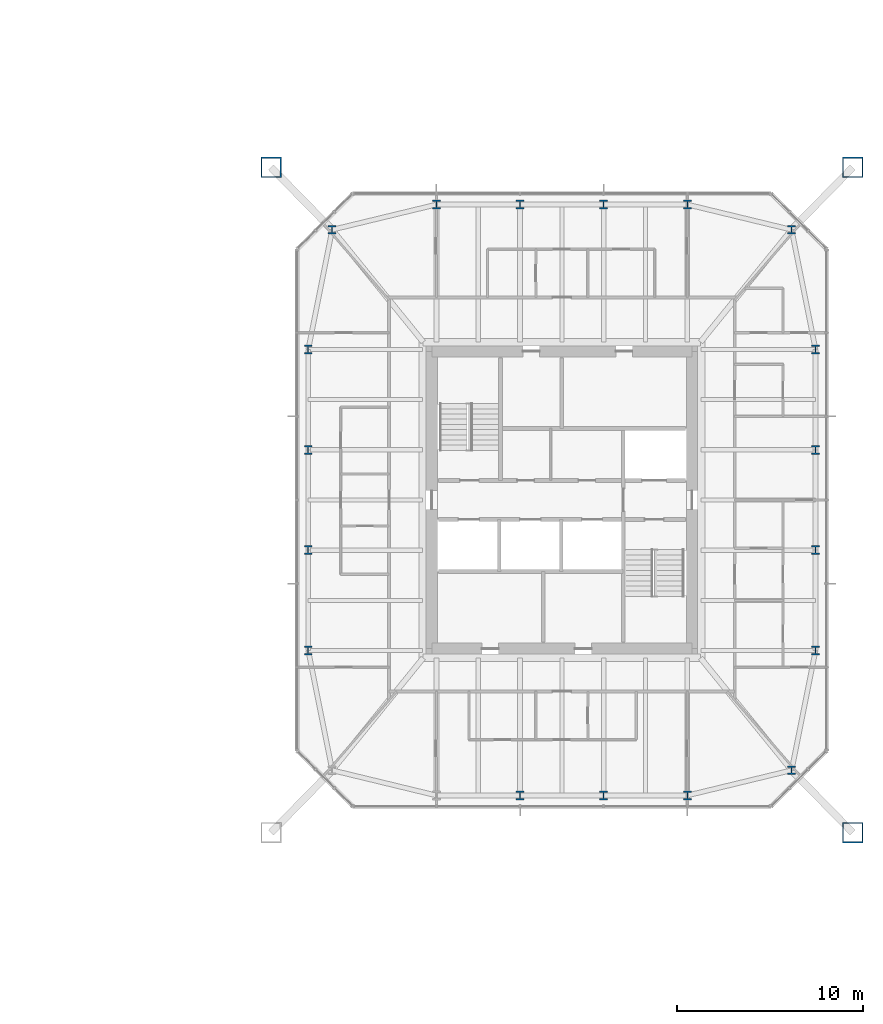
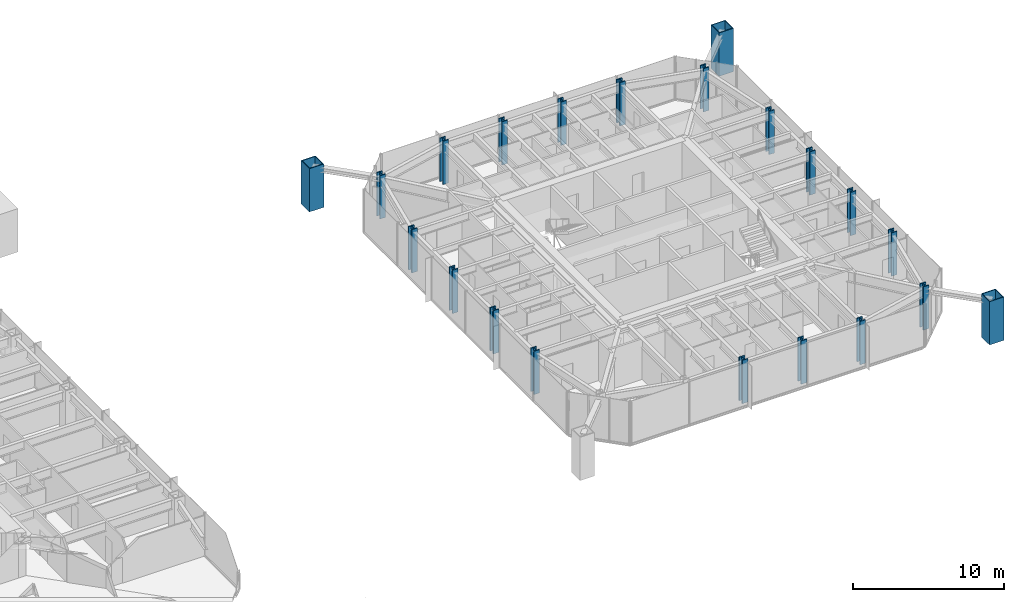
# One storey, part 2 of 25: 21 columns.
"""IFC4 building model written with IfcOpenShell, lengths in metres."""

from ifc_helpers import new_model, si_unit, direction, frame, origin, origin_2d, place, context, subcontext, project, spatial, hollow_rectangle, i_section, extrude, material, material_profile, profile_set, type_object, element, save


model = new_model("IFC4")

# Units and contexts
model_context = context("Model", 3, precision=1e-05, world=origin(), true_north=direction((0.0, 1.0)))
body_context = subcontext(model_context, "Body", "Model", "MODEL_VIEW")
ifc_project = project(units=[si_unit("LENGTHUNIT", "METRE"), si_unit("AREAUNIT", "SQUARE_METRE"), si_unit("VOLUMEUNIT", "CUBIC_METRE"), si_unit("PLANEANGLEUNIT", "RADIAN"), si_unit("MASSUNIT", "GRAM", prefix="KILO")], contexts=[model_context])

# Site, building, storey
site_placement = place(None, origin())
site = spatial("IfcSite", under=ifc_project, at=site_placement, CompositionType="ELEMENT")
building_placement = place(site_placement, origin())
building = spatial("IfcBuilding", under=site, at=building_placement, Name="Iwan Alto Co-Living Towers", CompositionType="ELEMENT")
storey_placement = place(building_placement, frame((0.0, 0.0, 105.0)))
storey = spatial("IfcBuildingStorey", under=building, at=storey_placement, Name="L28", CompositionType="ELEMENT", Elevation=105.0)

# Columns
ifc_material_1 = material(Name="Steel ASTM A572 Gr 50", Category="steel")
ifc_material_profile_1 = material_profile(ifc_material_1, hollow_rectangle(XDim=1.10009765625, YDim=1.10009765625, WallThickness=0.06005859375, at=origin_2d()), Name="BOX 1100X1100X60")
ifc_profile_set_1 = profile_set([ifc_material_profile_1], Name="Steel ASTM A572 Gr 50")
column_type_1 = type_object("IfcColumnType", Name="T2 MEGA COLUMN BOX 1100X1100X60", PredefinedType="COLUMN", material=ifc_profile_set_1)
for number, where, z_axis, x_axis, name in (
    (1, (78.64990234375, -17.89990234375, 0.0), (0.0, 0.0, 1.0), (1.0, 0.0, 0.0), "T2 mega column SE L28"),
    (2, (78.64990234375, 17.89990234375, 0.0), (0.0, 0.0, 1.0), (1.0, 0.0, 0.0), "T2 mega column NE L28"),
    (3, (47.35009765625, 17.89990234375, 0.0), (0.0, 0.0, 1.0), (1.0, 0.0, 0.0), "T2 mega column NW L28"),
):
    element("IfcColumn", number, at=place(storey_placement, frame(where, z_axis=z_axis, x_axis=x_axis)), inside=storey, type_object=column_type_1, Name=name, PredefinedType="COLUMN", context=body_context, shape_type="SweptSolid", body=[
        extrude(hollow_rectangle(XDim=1.10009765625, YDim=1.10009765625, WallThickness=0.06005859375, at=origin_2d()), origin(), (0.0, 0.0, 1.0), 3.5),
    ])
ifc_material_2 = material(Name="Steel ASTM A992 Gr 50", Category="steel")
ifc_material_profile_2 = material_profile(ifc_material_2, i_section(OverallWidth=0.4267578125, OverallDepth=0.482666015625, WebThickness=0.05126953125, FlangeThickness=0.08154296875, at=origin_2d()), Name="W14X455")
ifc_profile_set_2 = profile_set([ifc_material_profile_2], Name="Steel ASTM A992 Gr 50")
column_type_2 = type_object("IfcColumnType", Name="T2 RING COLUMN W14X455", PredefinedType="COLUMN", material=ifc_profile_set_2)
for number, where, z_axis, x_axis, name in (
    (4, (60.75, -15.89990234375, 0.0), (0.0, 0.0, 1.0), (1.0, 0.0, 0.0), "T2 ring column S2 L28"),
    (5, (65.25, -15.89990234375, 0.0), (0.0, 0.0, 1.0), (1.0, 0.0, 0.0), "T2 ring column S3 L28"),
    (6, (69.75, -15.89990234375, 0.0), (0.0, 0.0, 1.0), (1.0, 0.0, 0.0), "T2 ring column S4 L28"),
    (7, (75.361328125, -14.542724609375, 0.0), (0.0, 0.0, 1.0), (1.0, 0.0, 0.0), "T2 ring column CSE L28"),
    (8, (76.64990234375, -8.10009765625, 0.0), (0.0, 0.0, 1.0), (1.0, 0.0, 0.0), "T2 ring column E1 L28"),
    (9, (76.64990234375, -2.699951171875, 0.0), (0.0, 0.0, 1.0), (1.0, 0.0, 0.0), "T2 ring column E2 L28"),
    (10, (76.64990234375, 2.699951171875, 0.0), (0.0, 0.0, 1.0), (1.0, 0.0, 0.0), "T2 ring column E3 L28"),
    (11, (76.64990234375, 8.10009765625, 0.0), (0.0, 0.0, 1.0), (1.0, 0.0, 0.0), "T2 ring column E4 L28"),
    (12, (75.361328125, 14.542724609375, 0.0), (0.0, 0.0, 1.0), (1.0, 0.0, 0.0), "T2 ring column CNE L28"),
    (13, (69.75, 15.89990234375, 0.0), (0.0, 0.0, 1.0), (1.0, 0.0, 0.0), "T2 ring column N1 L28"),
    (14, (65.25, 15.89990234375, 0.0), (0.0, 0.0, 1.0), (1.0, 0.0, 0.0), "T2 ring column N2 L28"),
    (15, (60.75, 15.89990234375, 0.0), (0.0, 0.0, 1.0), (1.0, 0.0, 0.0), "T2 ring column N3 L28"),
    (16, (56.25, 15.89990234375, 0.0), (0.0, 0.0, 1.0), (1.0, 0.0, 0.0), "T2 ring column N4 L28"),
    (17, (50.638671875, 14.542724609375, 0.0), (0.0, 0.0, 1.0), (1.0, 0.0, 0.0), "T2 ring column CNW L28"),
    (18, (49.35009765625, 8.10009765625, 0.0), (0.0, 0.0, 1.0), (1.0, 0.0, 0.0), "T2 ring column W1 L28"),
    (19, (49.35009765625, 2.699951171875, 0.0), (0.0, 0.0, 1.0), (1.0, 0.0, 0.0), "T2 ring column W2 L28"),
    (20, (49.35009765625, -2.699951171875, 0.0), (0.0, 0.0, 1.0), (1.0, 0.0, 0.0), "T2 ring column W3 L28"),
    (21, (49.35009765625, -8.10009765625, 0.0), (0.0, 0.0, 1.0), (1.0, 0.0, 0.0), "T2 ring column W4 L28"),
):
    element("IfcColumn", number, at=place(storey_placement, frame(where, z_axis=z_axis, x_axis=x_axis)), inside=storey, type_object=column_type_2, Name=name, PredefinedType="COLUMN", context=body_context, shape_type="SweptSolid", body=[
        extrude(i_section(OverallWidth=0.4267578125, OverallDepth=0.482666015625, WebThickness=0.05126953125, FlangeThickness=0.08154296875, at=origin_2d()), origin(), (0.0, 0.0, 1.0), 3.5),
    ])

save(model, "model.ifc")
